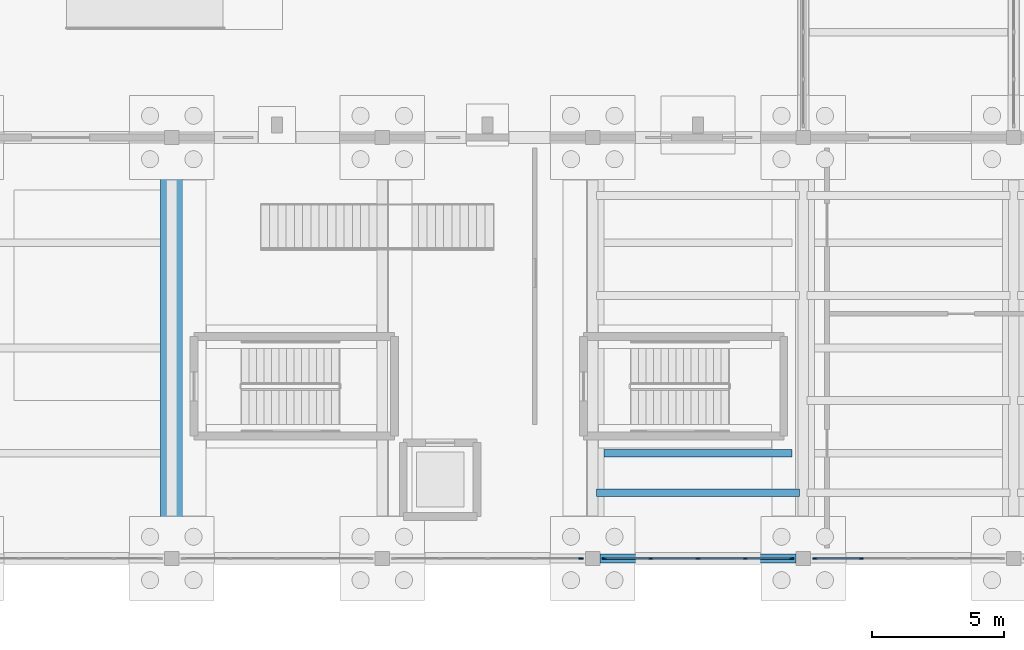
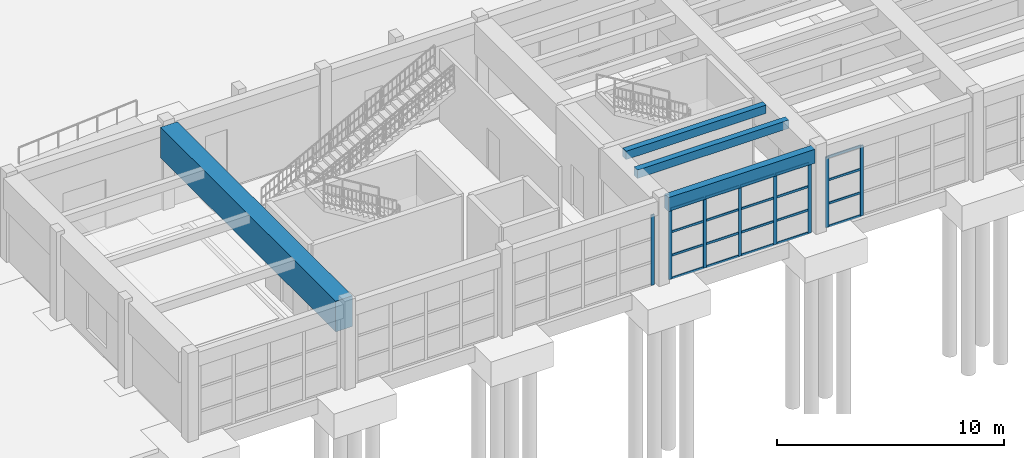
# One storey, part 19 of 68: 28 members, 4 beams, 3 elements without a shape of their own.
"""IFC4 building model written with IfcOpenShell, lengths in metres."""

from ifc_helpers import new_model, si_unit, direction, frame, origin, origin_2d, place, context, subcontext, project, spatial, rectangle, extrude, material, material_profile, profile_set, type_object, element, aggregate, save


model = new_model("IFC4")

# Units and contexts
model_context = context("Model", 3, precision=1e-05, world=origin(), true_north=direction((0.0, 1.0)))
body_context = subcontext(model_context, "Body", "Model", "MODEL_VIEW")
ifc_project = project(units=[si_unit("LENGTHUNIT", "METRE"), si_unit("AREAUNIT", "SQUARE_METRE"), si_unit("VOLUMEUNIT", "CUBIC_METRE"), si_unit("PLANEANGLEUNIT", "RADIAN"), si_unit("MASSUNIT", "GRAM", prefix="KILO")], contexts=[model_context])

# Site, building, storey
site_placement = place(None, origin())
site = spatial("IfcSite", under=ifc_project, at=site_placement, CompositionType="ELEMENT")
building_placement = place(site_placement, origin())
building = spatial("IfcBuilding", under=site, at=building_placement, Name="Serraluz Foothill Cableway Terminal", CompositionType="ELEMENT")
storey_placement = place(building_placement, origin())
storey = spatial("IfcBuildingStorey", under=building, at=storey_placement, Name="L00", CompositionType="ELEMENT", Elevation=0.0)

# Beam
ifc_material_1 = material(Name="Concrete C35/45 (f'c 35 MPa)", Category="concrete")
ifc_material_profile_1 = material_profile(ifc_material_1, rectangle(XDim=0.85009765625, YDim=1.64990234375, at=origin_2d()), Name="RC TG 850x1650")
ifc_profile_set_1 = profile_set([ifc_material_profile_1], Name="Concrete C35/45 (f'c 35 MPa)")
beam_type_1 = type_object("IfcBeamType", Name="TYP-BM-RCTG1650", PredefinedType="BEAM", material=ifc_profile_set_1)
beam_1_placement = place(storey_placement, frame((96.0, 0.27099609375, 3.715087890625), z_axis=(0.0, 1.0, 0.0), x_axis=(-1.0, 0.0, 0.0)))
element("IfcBeam", 1, at=beam_1_placement, inside=storey, type_object=beam_type_1, Name="Transverse Girder BM-Y-L00-0141", PredefinedType="BEAM", context=body_context, shape_type="SweptSolid", body=[
    extrude(rectangle(XDim=0.85009765625, YDim=1.64990234375, at=origin_2d()), origin(), (0.0, 0.0, 1.0), 15.4580078125),
])

# Curtain wall, member
ifc_material_2 = material(Name="Architectural bronze alloy C28000", Category="aluminium")
curtain_wall_type_1 = type_object("IfcCurtainWallType", Name="TYP-CW-480X380", PredefinedType="NOTDEFINED", material=ifc_material_2)
curtain_wall_1_placement = place(storey_placement, origin())
curtain_wall_1 = element("IfcCurtainWall", 2, at=curtain_wall_1_placement, inside=storey, type_object=curtain_wall_type_1, Name="Ribbed Glazed Curtain Wall CW-V3S-L00-104", PredefinedType="NOTDEFINED")
ifc_material_profile_2 = material_profile(ifc_material_2, rectangle(XDim=0.06005859375, YDim=0.159912109375, at=origin_2d()), Name="ALU MULLION 60x160")
ifc_profile_set_2 = profile_set([ifc_material_profile_2], Name="Architectural bronze alloy C28000")
member_type_1 = type_object("IfcMemberType", Name="TYP-CW-MUL-60X160", PredefinedType="MULLION", material=ifc_profile_set_2)
member_1_placement = place(storey_placement, frame((111.554931640625, 0.0, 0.0), z_axis=(0.0, 0.0, 1.0), x_axis=(0.0, -1.0, 0.0)))
member_1 = element("IfcMember", 3, at=member_1_placement, type_object=member_type_1, Name="CW-14 mullion 1", PredefinedType="MULLION", context=body_context, shape_type="SweptSolid", body=[
    extrude(rectangle(XDim=0.06005859375, YDim=0.159912109375, at=origin_2d()), origin(), (0.0, 0.0, 1.0), 3.7900390625),
])
aggregate(curtain_wall_1, [member_1])

# Curtain wall, members
curtain_wall_type_2 = type_object("IfcCurtainWallType", Name="TYP-CW-480X420", PredefinedType="NOTDEFINED", material=ifc_material_2)
curtain_wall_2_placement = place(storey_placement, origin())
curtain_wall_2 = element("IfcCurtainWall", 4, at=curtain_wall_2_placement, inside=storey, type_object=curtain_wall_type_2, Name="Ribbed Glazed Curtain Wall CW-V3S-L00-112", PredefinedType="NOTDEFINED")
member_2_placement = place(storey_placement, frame((119.554931640625, 0.0, 0.0), z_axis=(0.0, 0.0, 1.0), x_axis=(0.0, -1.0, 0.0)))
member_2 = element("IfcMember", 5, at=member_2_placement, type_object=member_type_1, Name="CW-15 mullion 1", PredefinedType="MULLION", context=body_context, shape_type="SweptSolid", body=[
    extrude(rectangle(XDim=0.06005859375, YDim=0.159912109375, at=origin_2d()), origin(), (0.0, 0.0, 1.0), 3.7900390625),
])
member_3_placement = place(storey_placement, frame((117.79248046875, 0.0, 0.0), z_axis=(0.0, 0.0, 1.0), x_axis=(0.0, -1.0, 0.0)))
member_3 = element("IfcMember", 6, at=member_3_placement, type_object=member_type_1, Name="CW-15 mullion 2", PredefinedType="MULLION", context=body_context, shape_type="SweptSolid", body=[
    extrude(rectangle(XDim=0.06005859375, YDim=0.159912109375, at=origin_2d()), origin(), (0.0, 0.0, 1.0), 3.7900390625),
])
member_4_placement = place(storey_placement, frame((116.0, 0.0, 0.0), z_axis=(0.0, 0.0, 1.0), x_axis=(0.0, -1.0, 0.0)))
member_4 = element("IfcMember", 7, at=member_4_placement, type_object=member_type_1, Name="CW-15 mullion 3", PredefinedType="MULLION", context=body_context, shape_type="SweptSolid", body=[
    extrude(rectangle(XDim=0.06005859375, YDim=0.159912109375, at=origin_2d()), origin(), (0.0, 0.0, 1.0), 3.7900390625),
])
member_5_placement = place(storey_placement, frame((114.20751953125, 0.0, 0.0), z_axis=(0.0, 0.0, 1.0), x_axis=(0.0, -1.0, 0.0)))
member_5 = element("IfcMember", 8, at=member_5_placement, type_object=member_type_1, Name="CW-15 mullion 4", PredefinedType="MULLION", context=body_context, shape_type="SweptSolid", body=[
    extrude(rectangle(XDim=0.06005859375, YDim=0.159912109375, at=origin_2d()), origin(), (0.0, 0.0, 1.0), 3.7900390625),
])
member_6_placement = place(storey_placement, frame((112.445068359375, 0.0, 0.0), z_axis=(0.0, 0.0, 1.0), x_axis=(0.0, -1.0, 0.0)))
member_6 = element("IfcMember", 9, at=member_6_placement, type_object=member_type_1, Name="CW-15 mullion 5", PredefinedType="MULLION", context=body_context, shape_type="SweptSolid", body=[
    extrude(rectangle(XDim=0.06005859375, YDim=0.159912109375, at=origin_2d()), origin(), (0.0, 0.0, 1.0), 3.7900390625),
])

curtain_wall_type_3 = type_object("IfcCurtainWallType", Name="TYP-CW-440X360", PredefinedType="NOTDEFINED", material=ifc_material_2)
curtain_wall_3_placement = place(storey_placement, origin())
curtain_wall_3 = element("IfcCurtainWall", 10, at=curtain_wall_3_placement, inside=storey, type_object=curtain_wall_type_3, Name="Ribbed Glazed Curtain Wall CW-V3S-L00-120", PredefinedType="NOTDEFINED")
member_7_placement = place(storey_placement, frame((122.20751953125, 0.0, 0.0), z_axis=(0.0, 0.0, 1.0), x_axis=(0.0, -1.0, 0.0)))
member_7 = element("IfcMember", 11, at=member_7_placement, type_object=member_type_1, Name="CW-16 mullion 4", PredefinedType="MULLION", context=body_context, shape_type="SweptSolid", body=[
    extrude(rectangle(XDim=0.06005859375, YDim=0.159912109375, at=origin_2d()), origin(), (0.0, 0.0, 1.0), 3.7900390625),
])
member_8_placement = place(storey_placement, frame((120.445068359375, 0.0, 0.0), z_axis=(0.0, 0.0, 1.0), x_axis=(0.0, -1.0, 0.0)))
member_8 = element("IfcMember", 12, at=member_8_placement, type_object=member_type_1, Name="CW-16 mullion 5", PredefinedType="MULLION", context=body_context, shape_type="SweptSolid", body=[
    extrude(rectangle(XDim=0.06005859375, YDim=0.159912109375, at=origin_2d()), origin(), (0.0, 0.0, 1.0), 3.7900390625),
])

# Member
ifc_material_profile_3 = material_profile(ifc_material_2, rectangle(XDim=0.06005859375, YDim=0.1201171875, at=origin_2d()), Name="ALU TRANSOM 60x120")
ifc_profile_set_3 = profile_set([ifc_material_profile_3], Name="Architectural bronze alloy C28000")
member_type_2 = type_object("IfcMemberType", Name="TYP-CW-TRN-60X120", PredefinedType="USERDEFINED", material=ifc_profile_set_3)
member_9_placement = place(storey_placement, frame((119.52490234375, 0.0, 0.030029296875), z_axis=(-1.0, 0.0, 0.0), x_axis=(0.0, -1.0, 0.0)))
member_9 = element("IfcMember", 13, at=member_9_placement, type_object=member_type_2, Name="CW-15 transom 1.1", ObjectType="TRANSOM", PredefinedType="USERDEFINED", context=body_context, shape_type="SweptSolid", body=[
    extrude(rectangle(XDim=0.06005859375, YDim=0.1201171875, at=origin_2d()), origin(), (0.0, 0.0, 1.0), 1.702392578125),
])

member_10_placement = place(storey_placement, frame((119.52490234375, 0.0, 1.26318359375), z_axis=(-1.0, 0.0, 0.0), x_axis=(0.0, -1.0, 0.0)))
member_10 = element("IfcMember", 14, at=member_10_placement, type_object=member_type_2, Name="CW-15 transom 1.2", ObjectType="TRANSOM", PredefinedType="USERDEFINED", context=body_context, shape_type="SweptSolid", body=[
    extrude(rectangle(XDim=0.06005859375, YDim=0.1201171875, at=origin_2d()), origin(), (0.0, 0.0, 1.0), 1.702392578125),
])

member_11_placement = place(storey_placement, frame((119.52490234375, 0.0, 2.526611328125), z_axis=(-1.0, 0.0, 0.0), x_axis=(0.0, -1.0, 0.0)))
member_11 = element("IfcMember", 15, at=member_11_placement, type_object=member_type_2, Name="CW-15 transom 1.3", ObjectType="TRANSOM", PredefinedType="USERDEFINED", context=body_context, shape_type="SweptSolid", body=[
    extrude(rectangle(XDim=0.06005859375, YDim=0.1201171875, at=origin_2d()), origin(), (0.0, 0.0, 1.0), 1.702392578125),
])

member_12_placement = place(storey_placement, frame((119.52490234375, 0.0, 3.760009765625), z_axis=(-1.0, 0.0, 0.0), x_axis=(0.0, -1.0, 0.0)))
member_12 = element("IfcMember", 16, at=member_12_placement, type_object=member_type_2, Name="CW-15 transom 1.4", ObjectType="TRANSOM", PredefinedType="USERDEFINED", context=body_context, shape_type="SweptSolid", body=[
    extrude(rectangle(XDim=0.06005859375, YDim=0.1201171875, at=origin_2d()), origin(), (0.0, 0.0, 1.0), 1.702392578125),
])

member_13_placement = place(storey_placement, frame((117.762451171875, 0.0, 0.030029296875), z_axis=(-1.0, 0.0, 0.0), x_axis=(0.0, -1.0, 0.0)))
member_13 = element("IfcMember", 17, at=member_13_placement, type_object=member_type_2, Name="CW-15 transom 2.1", ObjectType="TRANSOM", PredefinedType="USERDEFINED", context=body_context, shape_type="SweptSolid", body=[
    extrude(rectangle(XDim=0.06005859375, YDim=0.1201171875, at=origin_2d()), origin(), (0.0, 0.0, 1.0), 1.732421875),
])

member_14_placement = place(storey_placement, frame((117.762451171875, 0.0, 1.26318359375), z_axis=(-1.0, 0.0, 0.0), x_axis=(0.0, -1.0, 0.0)))
member_14 = element("IfcMember", 18, at=member_14_placement, type_object=member_type_2, Name="CW-15 transom 2.2", ObjectType="TRANSOM", PredefinedType="USERDEFINED", context=body_context, shape_type="SweptSolid", body=[
    extrude(rectangle(XDim=0.06005859375, YDim=0.1201171875, at=origin_2d()), origin(), (0.0, 0.0, 1.0), 1.732421875),
])

member_15_placement = place(storey_placement, frame((117.762451171875, 0.0, 2.526611328125), z_axis=(-1.0, 0.0, 0.0), x_axis=(0.0, -1.0, 0.0)))
member_15 = element("IfcMember", 19, at=member_15_placement, type_object=member_type_2, Name="CW-15 transom 2.3", ObjectType="TRANSOM", PredefinedType="USERDEFINED", context=body_context, shape_type="SweptSolid", body=[
    extrude(rectangle(XDim=0.06005859375, YDim=0.1201171875, at=origin_2d()), origin(), (0.0, 0.0, 1.0), 1.732421875),
])

member_16_placement = place(storey_placement, frame((117.762451171875, 0.0, 3.760009765625), z_axis=(-1.0, 0.0, 0.0), x_axis=(0.0, -1.0, 0.0)))
member_16 = element("IfcMember", 20, at=member_16_placement, type_object=member_type_2, Name="CW-15 transom 2.4", ObjectType="TRANSOM", PredefinedType="USERDEFINED", context=body_context, shape_type="SweptSolid", body=[
    extrude(rectangle(XDim=0.06005859375, YDim=0.1201171875, at=origin_2d()), origin(), (0.0, 0.0, 1.0), 1.732421875),
])

member_17_placement = place(storey_placement, frame((115.969970703125, 0.0, 0.030029296875), z_axis=(-1.0, 0.0, 0.0), x_axis=(0.0, -1.0, 0.0)))
member_17 = element("IfcMember", 21, at=member_17_placement, type_object=member_type_2, Name="CW-15 transom 3.1", ObjectType="TRANSOM", PredefinedType="USERDEFINED", context=body_context, shape_type="SweptSolid", body=[
    extrude(rectangle(XDim=0.06005859375, YDim=0.1201171875, at=origin_2d()), origin(), (0.0, 0.0, 1.0), 1.732421875),
])

member_18_placement = place(storey_placement, frame((115.969970703125, 0.0, 1.26318359375), z_axis=(-1.0, 0.0, 0.0), x_axis=(0.0, -1.0, 0.0)))
member_18 = element("IfcMember", 22, at=member_18_placement, type_object=member_type_2, Name="CW-15 transom 3.2", ObjectType="TRANSOM", PredefinedType="USERDEFINED", context=body_context, shape_type="SweptSolid", body=[
    extrude(rectangle(XDim=0.06005859375, YDim=0.1201171875, at=origin_2d()), origin(), (0.0, 0.0, 1.0), 1.732421875),
])

member_19_placement = place(storey_placement, frame((115.969970703125, 0.0, 2.526611328125), z_axis=(-1.0, 0.0, 0.0), x_axis=(0.0, -1.0, 0.0)))
member_19 = element("IfcMember", 23, at=member_19_placement, type_object=member_type_2, Name="CW-15 transom 3.3", ObjectType="TRANSOM", PredefinedType="USERDEFINED", context=body_context, shape_type="SweptSolid", body=[
    extrude(rectangle(XDim=0.06005859375, YDim=0.1201171875, at=origin_2d()), origin(), (0.0, 0.0, 1.0), 1.732421875),
])

member_20_placement = place(storey_placement, frame((115.969970703125, 0.0, 3.760009765625), z_axis=(-1.0, 0.0, 0.0), x_axis=(0.0, -1.0, 0.0)))
member_20 = element("IfcMember", 24, at=member_20_placement, type_object=member_type_2, Name="CW-15 transom 3.4", ObjectType="TRANSOM", PredefinedType="USERDEFINED", context=body_context, shape_type="SweptSolid", body=[
    extrude(rectangle(XDim=0.06005859375, YDim=0.1201171875, at=origin_2d()), origin(), (0.0, 0.0, 1.0), 1.732421875),
])

member_21_placement = place(storey_placement, frame((114.177490234375, 0.0, 0.030029296875), z_axis=(-1.0, 0.0, 0.0), x_axis=(0.0, -1.0, 0.0)))
member_21 = element("IfcMember", 25, at=member_21_placement, type_object=member_type_2, Name="CW-15 transom 4.1", ObjectType="TRANSOM", PredefinedType="USERDEFINED", context=body_context, shape_type="SweptSolid", body=[
    extrude(rectangle(XDim=0.06005859375, YDim=0.1201171875, at=origin_2d()), origin(), (0.0, 0.0, 1.0), 1.702392578125),
])

member_22_placement = place(storey_placement, frame((114.177490234375, 0.0, 1.26318359375), z_axis=(-1.0, 0.0, 0.0), x_axis=(0.0, -1.0, 0.0)))
member_22 = element("IfcMember", 26, at=member_22_placement, type_object=member_type_2, Name="CW-15 transom 4.2", ObjectType="TRANSOM", PredefinedType="USERDEFINED", context=body_context, shape_type="SweptSolid", body=[
    extrude(rectangle(XDim=0.06005859375, YDim=0.1201171875, at=origin_2d()), origin(), (0.0, 0.0, 1.0), 1.702392578125),
])

member_23_placement = place(storey_placement, frame((114.177490234375, 0.0, 2.526611328125), z_axis=(-1.0, 0.0, 0.0), x_axis=(0.0, -1.0, 0.0)))
member_23 = element("IfcMember", 27, at=member_23_placement, type_object=member_type_2, Name="CW-15 transom 4.3", ObjectType="TRANSOM", PredefinedType="USERDEFINED", context=body_context, shape_type="SweptSolid", body=[
    extrude(rectangle(XDim=0.06005859375, YDim=0.1201171875, at=origin_2d()), origin(), (0.0, 0.0, 1.0), 1.702392578125),
])

member_24_placement = place(storey_placement, frame((114.177490234375, 0.0, 3.760009765625), z_axis=(-1.0, 0.0, 0.0), x_axis=(0.0, -1.0, 0.0)))
member_24 = element("IfcMember", 28, at=member_24_placement, type_object=member_type_2, Name="CW-15 transom 4.4", ObjectType="TRANSOM", PredefinedType="USERDEFINED", context=body_context, shape_type="SweptSolid", body=[
    extrude(rectangle(XDim=0.06005859375, YDim=0.1201171875, at=origin_2d()), origin(), (0.0, 0.0, 1.0), 1.702392578125),
])

aggregate(curtain_wall_2, [member_2, member_3, member_4, member_5, member_6, member_9, member_10, member_11, member_12, member_13, member_14, member_15, member_16, member_17, member_18, member_19, member_20, member_21, member_22, member_23, member_24])

member_25_placement = place(storey_placement, frame((122.177490234375, 0.0, 0.030029296875), z_axis=(-1.0, 0.0, 0.0), x_axis=(0.0, -1.0, 0.0)))
member_25 = element("IfcMember", 29, at=member_25_placement, type_object=member_type_2, Name="CW-16 transom 4.1", ObjectType="TRANSOM", PredefinedType="USERDEFINED", context=body_context, shape_type="SweptSolid", body=[
    extrude(rectangle(XDim=0.06005859375, YDim=0.1201171875, at=origin_2d()), origin(), (0.0, 0.0, 1.0), 1.702392578125),
])

member_26_placement = place(storey_placement, frame((122.177490234375, 0.0, 1.26318359375), z_axis=(-1.0, 0.0, 0.0), x_axis=(0.0, -1.0, 0.0)))
member_26 = element("IfcMember", 30, at=member_26_placement, type_object=member_type_2, Name="CW-16 transom 4.2", ObjectType="TRANSOM", PredefinedType="USERDEFINED", context=body_context, shape_type="SweptSolid", body=[
    extrude(rectangle(XDim=0.06005859375, YDim=0.1201171875, at=origin_2d()), origin(), (0.0, 0.0, 1.0), 1.702392578125),
])

member_27_placement = place(storey_placement, frame((122.177490234375, 0.0, 2.526611328125), z_axis=(-1.0, 0.0, 0.0), x_axis=(0.0, -1.0, 0.0)))
member_27 = element("IfcMember", 31, at=member_27_placement, type_object=member_type_2, Name="CW-16 transom 4.3", ObjectType="TRANSOM", PredefinedType="USERDEFINED", context=body_context, shape_type="SweptSolid", body=[
    extrude(rectangle(XDim=0.06005859375, YDim=0.1201171875, at=origin_2d()), origin(), (0.0, 0.0, 1.0), 1.702392578125),
])

member_28_placement = place(storey_placement, frame((122.177490234375, 0.0, 3.760009765625), z_axis=(-1.0, 0.0, 0.0), x_axis=(0.0, -1.0, 0.0)))
member_28 = element("IfcMember", 32, at=member_28_placement, type_object=member_type_2, Name="CW-16 transom 4.4", ObjectType="TRANSOM", PredefinedType="USERDEFINED", context=body_context, shape_type="SweptSolid", body=[
    extrude(rectangle(XDim=0.06005859375, YDim=0.1201171875, at=origin_2d()), origin(), (0.0, 0.0, 1.0), 1.702392578125),
])

aggregate(curtain_wall_3, [member_7, member_8, member_25, member_26, member_27, member_28])

# Beams
ifc_material_3 = material(Name="Concrete C28/35 (f'c 28 MPa)", Category="concrete")
ifc_material_profile_4 = material_profile(ifc_material_3, rectangle(XDim=0.300048828125, YDim=0.449951171875, at=origin_2d()), Name="RC 300x450")
ifc_profile_set_4 = profile_set([ifc_material_profile_4], Name="Concrete C28/35 (f'c 28 MPa)")
beam_type_2 = type_object("IfcBeamType", Name="TYP-JS-RC300X450", PredefinedType="JOIST", material=ifc_profile_set_4)
beam_2_placement = place(storey_placement, frame((112.429931640625, 4.0, 4.31494140625), z_axis=(1.0, 0.0, 0.0), x_axis=(0.0, 1.0, 0.0)))
element("IfcBeam", 33, at=beam_2_placement, inside=storey, type_object=beam_type_2, Name="Secondary Floor Joist JS-L00-0041", PredefinedType="JOIST", context=body_context, shape_type="SweptSolid", body=[
    extrude(rectangle(XDim=0.300048828125, YDim=0.449951171875, at=origin_2d()), origin(), (0.0, 0.0, 1.0), 7.14013671875),
])
beam_3_placement = place(storey_placement, frame((112.139892578125, 2.5, 4.31494140625), z_axis=(1.0, 0.0, 0.0), x_axis=(0.0, 1.0, 0.0)))
element("IfcBeam", 34, at=beam_3_placement, inside=storey, type_object=beam_type_2, Name="Belvedere Deck Joist L00-070", PredefinedType="JOIST", context=body_context, shape_type="SweptSolid", body=[
    extrude(rectangle(XDim=0.300048828125, YDim=0.449951171875, at=origin_2d()), origin(), (0.0, 0.0, 1.0), 7.72021484375),
])
ifc_material_4 = material(Name="Precast concrete C40/50", Category="concrete")
ifc_material_profile_5 = material_profile(ifc_material_4, rectangle(XDim=0.35009765625, YDim=0.75, at=origin_2d()), Name="RC SP 350x750")
ifc_profile_set_5 = profile_set([ifc_material_profile_5], Name="Precast concrete C40/50")
beam_type_3 = type_object("IfcBeamType", Name="TYP-SP-RC350X750", PredefinedType="SPANDREL", material=ifc_profile_set_5)
beam_4_placement = place(storey_placement, frame((112.27099609375, 0.0, 4.1650390625), z_axis=(1.0, 0.0, 0.0), x_axis=(0.0, 1.0, 0.0)))
element("IfcBeam", 35, at=beam_4_placement, inside=storey, type_object=beam_type_3, Name="Primary Girder BM-X-L00-0037", PredefinedType="SPANDREL", context=body_context, shape_type="SweptSolid", body=[
    extrude(rectangle(XDim=0.35009765625, YDim=0.75, at=origin_2d()), origin(), (0.0, 0.0, 1.0), 7.4580078125),
])

save(model, "model.ifc")
